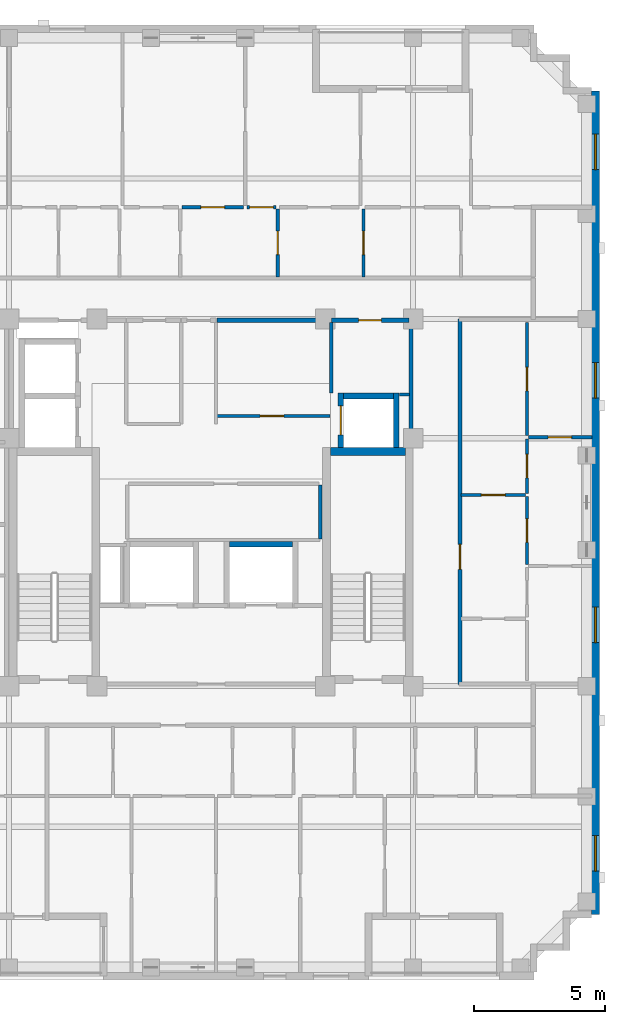
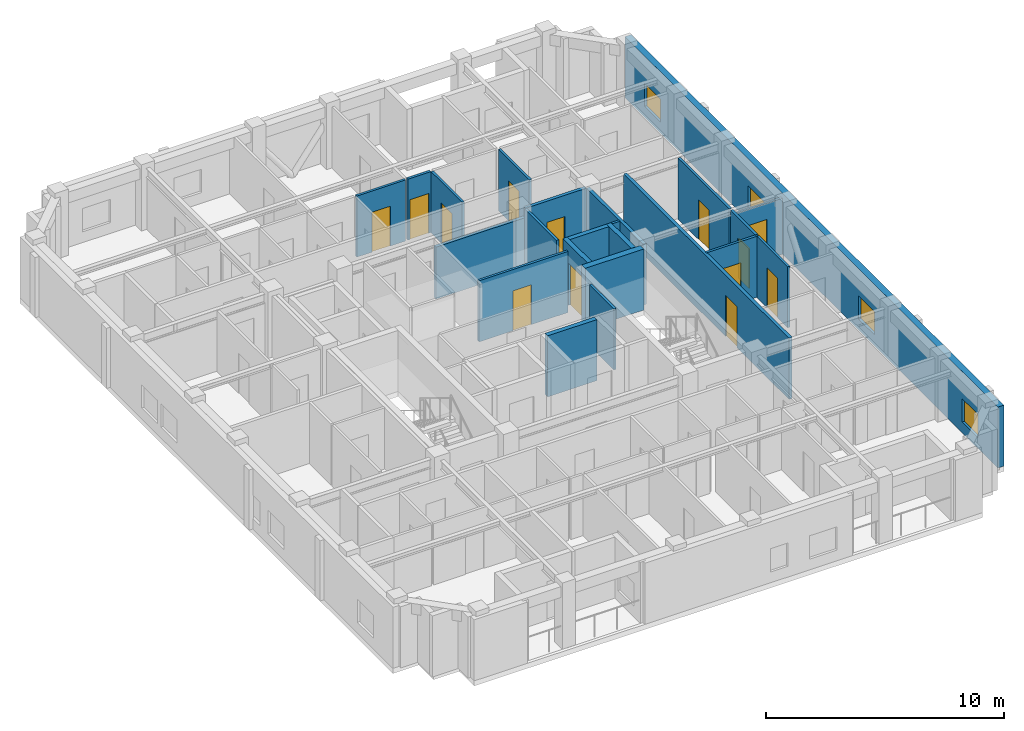
# One storey, part 6 of 11: 23 walls, 13 doors, 4 windows, 17 openings.
"""IFC4 building model written with IfcOpenShell, lengths in metres."""

from ifc_helpers import new_model, si_unit, derived_unit, direction, frame, frame_2d, origin, place, context, subcontext, project, spatial, rectangle, extrude, material, layer, layer_set, type_object, element, fill, save


model = new_model("IFC4")

# Units and contexts
model_context = context("Model", 3, precision=1e-05, world=origin(), true_north=direction((0.0, 1.0)))
body_context = subcontext(model_context, "Body", "Model", "MODEL_VIEW")
ifc_project = project(units=[si_unit("LENGTHUNIT", "METRE"), si_unit("AREAUNIT", "SQUARE_METRE"), si_unit("VOLUMEUNIT", "CUBIC_METRE"), si_unit("PLANEANGLEUNIT", "RADIAN"), si_unit("MASSUNIT", "GRAM", prefix="KILO"), derived_unit("THERMALTRANSMITTANCEUNIT", [(si_unit("MASSUNIT", "GRAM", prefix="KILO"), 1), (si_unit("TIMEUNIT", "SECOND"), -3), (si_unit("THERMODYNAMICTEMPERATUREUNIT", "KELVIN"), -1)])], contexts=[model_context])

# Site, building, storey
site_placement = place(None, origin())
site = spatial("IfcSite", under=ifc_project, at=site_placement, CompositionType="ELEMENT")
building_placement = place(site_placement, origin())
building = spatial("IfcBuilding", under=site, at=building_placement, Name="Korrvale Station Residences", CompositionType="ELEMENT")
storey_placement = place(building_placement, frame((0.0, 0.0, 244.5)))
storey = spatial("IfcBuildingStorey", under=building, at=storey_placement, Name="L71", CompositionType="ELEMENT", Elevation=244.5)

# Wall
ifc_material_1 = material(Name="Concrete C50/60", Category="concrete")
ifc_layer_1 = layer(ifc_material_1, 0.300048828125, Name="Concrete C50/60")
ifc_layer_set_1 = layer_set([ifc_layer_1], Name="Concrete C50/60")
wall_type_1 = type_object("IfcWallType", Name="WAL-CORE-300-C50", PredefinedType="SHEAR", material=ifc_layer_set_1)
wall_1_placement = place(storey_placement, frame((30.050048828125, 23.949951171875, 0.0), z_axis=(0.0, 0.0, 1.0), x_axis=(1.0, 0.0, 0.0)))
element("IfcWall", 1, at=wall_1_placement, inside=storey, type_object=wall_type_1, Name="L71 ST-2 Core Shear Wall North", PredefinedType="SHEAR", context=body_context, shape_type="SweptSolid", body=[
    extrude(rectangle(XDim=2.849853515625, YDim=0.300048828125, at=frame_2d((1.4248046875, 0.0))), origin(), (0.0, 0.0, 1.0), 3.139892578125),
])

# Wall, openings, windows
ifc_material_2 = material(Name="Precast concrete C45/55", Category="concrete")
ifc_layer_2 = layer(ifc_material_2, 0.300048828125, Name="Precast concrete C45/55")
ifc_layer_set_2 = layer_set([ifc_layer_2], Name="Precast concrete C45/55")
wall_type_2 = type_object("IfcWallType", Name="WAL-EXT-PC300", PredefinedType="SOLIDWALL", material=ifc_layer_set_2)
wall_2_placement = place(storey_placement, frame((40.14990234375, 37.699951171875, 0.0), z_axis=(0.0, 0.0, 1.0), x_axis=(0.0, -1.0, 0.0)))
wall_2 = element("IfcWall", 2, at=wall_2_placement, inside=storey, type_object=wall_type_2, Name="L71 East Exterior Precast Wall 1", PredefinedType="SOLIDWALL", context=body_context, shape_type="SweptSolid", body=[
    extrude(rectangle(XDim=31.39990234375, YDim=0.300048828125, at=frame_2d((15.699951171875, 0.0))), origin(), (0.0, 0.0, 1.0), 3.139892578125),
])
opening_1_placement = place(wall_2_placement, frame((28.39599609375, 0.0, 0.550048828125)))
opening_1 = element("IfcOpeningElement", 3, at=opening_1_placement, cuts=wall_2, Name="Opening W-10", PredefinedType="OPENING", context=body_context, shape_type="SweptSolid", body=[
    extrude(rectangle(XDim=1.35009765625, YDim=1.199951171875, at=frame_2d((0.675048828125, 0.60009765625))), frame((0.0, 0.16015625, 0.0), z_axis=(0.0, -1.0, 0.0), x_axis=(1.0, 0.0, 0.0)), (0.0, 0.0, 1.0), 0.320068359375),
])
opening_2_placement = place(wall_2_placement, frame((1.653076171875, 0.0, 0.550048828125)))
opening_2 = element("IfcOpeningElement", 4, at=opening_2_placement, cuts=wall_2, Name="Opening W-10", PredefinedType="OPENING", context=body_context, shape_type="SweptSolid", body=[
    extrude(rectangle(XDim=1.35009765625, YDim=1.199951171875, at=frame_2d((0.675048828125, 0.60009765625))), frame((0.0, 0.16015625, 0.0), z_axis=(0.0, -1.0, 0.0), x_axis=(1.0, 0.0, 0.0)), (0.0, 0.0, 1.0), 0.320068359375),
])
opening_3_placement = place(wall_2_placement, frame((19.68310546875, 0.0, 0.550048828125)))
opening_3 = element("IfcOpeningElement", 5, at=opening_3_placement, cuts=wall_2, Name="Opening W-10", PredefinedType="OPENING", context=body_context, shape_type="SweptSolid", body=[
    extrude(rectangle(XDim=1.35009765625, YDim=1.199951171875, at=frame_2d((0.675048828125, 0.60009765625))), frame((0.0, 0.16015625, 0.0), z_axis=(0.0, -1.0, 0.0), x_axis=(1.0, 0.0, 0.0)), (0.0, 0.0, 1.0), 0.320068359375),
])
opening_4_placement = place(wall_2_placement, frame((10.366943359375, 0.0, 0.550048828125)))
opening_4 = element("IfcOpeningElement", 6, at=opening_4_placement, cuts=wall_2, Name="Opening W-10", PredefinedType="OPENING", context=body_context, shape_type="SweptSolid", body=[
    extrude(rectangle(XDim=1.35009765625, YDim=1.199951171875, at=frame_2d((0.675048828125, 0.60009765625))), frame((0.0, 0.16015625, 0.0), z_axis=(0.0, -1.0, 0.0), x_axis=(1.0, 0.0, 0.0)), (0.0, 0.0, 1.0), 0.320068359375),
])
ifc_material_3 = material(Name="Thermally broken aluminium frame with triple low-e glazing", Category="aluminium")
window_type = type_object("IfcWindowType", Name="WIN-W10", PartitioningType="SINGLE_PANEL", PredefinedType="WINDOW", material=ifc_material_3)
window_1_placement = place(opening_1_placement, origin())
window_1 = element("IfcWindow", 7, at=window_1_placement, inside=storey, type_object=window_type, Name="L71 Punched Window 05", OverallHeight=1.199951171875, OverallWidth=1.35009765625, PartitioningType="SINGLE_PANEL", PredefinedType="WINDOW", context=body_context, shape_type="SweptSolid", body=[
    extrude(rectangle(XDim=1.35009765625, YDim=1.199951171875, at=frame_2d((0.675048828125, 0.60009765625))), frame((0.0, 0.030029296875, 0.0), z_axis=(0.0, -1.0, 0.0), x_axis=(1.0, 0.0, 0.0)), (0.0, 0.0, 1.0), 0.06005859375),
])
fill(opening_1, window_1)
window_2_placement = place(opening_2_placement, origin())
window_2 = element("IfcWindow", 8, at=window_2_placement, inside=storey, type_object=window_type, Name="L71 Punched Window 10", OverallHeight=1.199951171875, OverallWidth=1.35009765625, PartitioningType="SINGLE_PANEL", PredefinedType="WINDOW", context=body_context, shape_type="SweptSolid", body=[
    extrude(rectangle(XDim=1.35009765625, YDim=1.199951171875, at=frame_2d((0.675048828125, 0.60009765625))), frame((0.0, 0.030029296875, 0.0), z_axis=(0.0, -1.0, 0.0), x_axis=(1.0, 0.0, 0.0)), (0.0, 0.0, 1.0), 0.06005859375),
])
fill(opening_2, window_2)
window_3_placement = place(opening_3_placement, origin())
window_3 = element("IfcWindow", 9, at=window_3_placement, inside=storey, type_object=window_type, Name="L71 Punched Window 15", OverallHeight=1.199951171875, OverallWidth=1.35009765625, PartitioningType="SINGLE_PANEL", PredefinedType="WINDOW", context=body_context, shape_type="SweptSolid", body=[
    extrude(rectangle(XDim=1.35009765625, YDim=1.199951171875, at=frame_2d((0.675048828125, 0.60009765625))), frame((0.0, 0.030029296875, 0.0), z_axis=(0.0, -1.0, 0.0), x_axis=(1.0, 0.0, 0.0)), (0.0, 0.0, 1.0), 0.06005859375),
])
fill(opening_3, window_3)
window_4_placement = place(opening_4_placement, origin())
window_4 = element("IfcWindow", 10, at=window_4_placement, inside=storey, type_object=window_type, Name="L71 Punched Window 16", OverallHeight=1.199951171875, OverallWidth=1.35009765625, PartitioningType="SINGLE_PANEL", PredefinedType="WINDOW", context=body_context, shape_type="SweptSolid", body=[
    extrude(rectangle(XDim=1.35009765625, YDim=1.199951171875, at=frame_2d((0.675048828125, 0.60009765625))), frame((0.0, 0.030029296875, 0.0), z_axis=(0.0, -1.0, 0.0), x_axis=(1.0, 0.0, 0.0)), (0.0, 0.0, 1.0), 0.06005859375),
])
fill(opening_4, window_4)

# Walls
ifc_material_4 = material(Name="Acoustic steel-stud gypsum board partition", Category="steel")
ifc_layer_3 = layer(ifc_material_4, 0.1201171875, Name="Acoustic steel-stud gypsum board partition")
ifc_layer_set_3 = layer_set([ifc_layer_3], Name="Acoustic steel-stud gypsum board partition")
wall_type_3 = type_object("IfcWallType", Name="WAL-PART-125", PredefinedType="PARTITIONING", material=ifc_layer_set_3)
wall_3_placement = place(storey_placement, frame((30.080078125, 26.179931640625, 0.0), z_axis=(0.0, 0.0, 1.0), x_axis=(0.0, 1.0, 0.0)))
element("IfcWall", 11, at=wall_3_placement, inside=storey, type_object=wall_type_3, Name="L71 Core Partition CW-CS-W", PredefinedType="PARTITIONING", context=body_context, shape_type="SweptSolid", body=[
    extrude(rectangle(XDim=2.68017578125, YDim=0.1201171875, at=frame_2d((1.340087890625, 0.0))), origin(), (0.0, 0.0, 1.0), 3.139892578125),
])
wall_4_placement = place(storey_placement, frame((32.679931640625, 26.1201171875, 0.0), z_axis=(0.0, 0.0, 1.0), x_axis=(1.0, 0.0, 0.0)))
element("IfcWall", 12, at=wall_4_placement, inside=storey, type_object=wall_type_3, Name="L71 Core Partition CW-CS-S", PredefinedType="PARTITIONING", context=body_context, shape_type="SweptSolid", body=[
    extrude(rectangle(XDim=0.380126953125, YDim=0.1201171875, at=frame_2d((0.18994140625, 0.0))), origin(), (0.0, 0.0, 1.0), 3.139892578125),
])

# Wall, opening, door
wall_5_placement = place(storey_placement, frame((25.719970703125, 25.300048828125, 0.0), z_axis=(0.0, 0.0, 1.0), x_axis=(1.0, 0.0, 0.0)))
wall_5 = element("IfcWall", 13, at=wall_5_placement, inside=storey, type_object=wall_type_3, Name="L71 Core Partition CW-FPLE-S", PredefinedType="PARTITIONING", context=body_context, shape_type="SweptSolid", body=[
    extrude(rectangle(XDim=4.320068359375, YDim=0.1201171875, at=frame_2d((2.16015625, 0.0))), origin(), (0.0, 0.0, 1.0), 3.139892578125),
])
opening_5_placement = place(wall_5_placement, frame((1.64990234375, 0.0, 0.0)))
opening_5 = element("IfcOpeningElement", 14, at=opening_5_placement, cuts=wall_5, Name="Opening DI-900", PredefinedType="OPENING", context=body_context, shape_type="SweptSolid", body=[
    extrude(rectangle(XDim=0.89990234375, YDim=2.050048828125, at=frame_2d((0.449951171875, 1.02490234375))), frame((0.0, 0.070068359375, 0.0), z_axis=(0.0, -1.0, 0.0), x_axis=(1.0, 0.0, 0.0)), (0.0, 0.0, 1.0), 0.14013671875),
])
ifc_material_5 = material(Name="Painted solid-core timber interior room door", Category="wood")
door_type_1 = type_object("IfcDoorType", Name="DR-INT-900", OperationType="NOTDEFINED", PredefinedType="DOOR", material=ifc_material_5)
door_1_placement = place(opening_5_placement, origin())
door_1 = element("IfcDoor", 15, at=door_1_placement, inside=storey, type_object=door_type_1, Name="L71 Housekeeping Linen Door", OperationType="SINGLE_SWING_LEFT", OverallHeight=2.050048828125, OverallWidth=0.89990234375, PredefinedType="DOOR", context=body_context, shape_type="SweptSolid", body=[
    extrude(rectangle(XDim=0.89990234375, YDim=2.050048828125, at=frame_2d((0.449951171875, 1.02490234375))), frame((0.0, 0.02490234375, 0.0), z_axis=(0.0, -1.0, 0.0), x_axis=(1.0, 0.0, 0.0)), (0.0, 0.0, 1.0), 0.050048828125),
])
fill(opening_5, door_1)

# Wall
wall_6_placement = place(storey_placement, frame((29.659912109375, 20.6201171875, 0.0), z_axis=(0.0, 0.0, 1.0), x_axis=(0.0, 1.0, 0.0)))
element("IfcWall", 16, at=wall_6_placement, inside=storey, type_object=wall_type_3, Name="L71 Core Partition CW-FPM-E", PredefinedType="PARTITIONING", context=body_context, shape_type="SweptSolid", body=[
    extrude(rectangle(XDim=2.059814453125, YDim=0.1201171875, at=frame_2d((1.02978515625, 0.0))), origin(), (0.0, 0.0, 1.0), 3.139892578125),
])

# Wall, opening, door
wall_7_placement = place(storey_placement, frame((28.0400390625, 30.60009765625, 0.0), z_axis=(0.0, 0.0, 1.0), x_axis=(0.0, 1.0, 0.0)))
wall_7 = element("IfcWall", 17, at=wall_7_placement, inside=storey, type_object=wall_type_3, Name="L71 Suite Partition U03-V45", PredefinedType="PARTITIONING", context=body_context, shape_type="SweptSolid", body=[
    extrude(rectangle(XDim=2.599853515625, YDim=0.1201171875, at=frame_2d((1.2998046875, 0.0))), origin(), (0.0, 0.0, 1.0), 3.139892578125),
])
opening_6_placement = place(wall_7_placement, frame((0.85009765625, 0.0, 0.0)))
opening_6 = element("IfcOpeningElement", 18, at=opening_6_placement, cuts=wall_7, Name="Opening DI-900", PredefinedType="OPENING", context=body_context, shape_type="SweptSolid", body=[
    extrude(rectangle(XDim=0.89990234375, YDim=2.050048828125, at=frame_2d((0.449951171875, 1.02490234375))), frame((0.0, 0.070068359375, 0.0), z_axis=(0.0, -1.0, 0.0), x_axis=(1.0, 0.0, 0.0)), (0.0, 0.0, 1.0), 0.14013671875),
])
door_2_placement = place(opening_6_placement, origin())
door_2 = element("IfcDoor", 19, at=door_2_placement, inside=storey, type_object=door_type_1, Name="L71 Apartment 3BR L71-U03 Utility and Laundry Room Door", OperationType="SINGLE_SWING_RIGHT", OverallHeight=2.050048828125, OverallWidth=0.89990234375, PredefinedType="DOOR", context=body_context, shape_type="SweptSolid", body=[
    extrude(rectangle(XDim=0.89990234375, YDim=2.050048828125, at=frame_2d((0.449951171875, 1.02490234375))), frame((0.0, 0.02490234375, 0.0), z_axis=(0.0, -1.0, 0.0), x_axis=(1.0, 0.0, 0.0)), (0.0, 0.0, 1.0), 0.050048828125),
])
fill(opening_6, door_2)

wall_8_placement = place(storey_placement, frame((24.3798828125, 33.260009765625, 0.0), z_axis=(0.0, 0.0, 1.0), x_axis=(1.0, 0.0, 0.0)))
wall_8 = element("IfcWall", 20, at=wall_8_placement, inside=storey, type_object=wall_type_3, Name="L71 Suite Partition U03-H410", PredefinedType="PARTITIONING", context=body_context, shape_type="SweptSolid", body=[
    extrude(rectangle(XDim=2.360107421875, YDim=0.1201171875, at=frame_2d((1.18017578125, 0.0))), origin(), (0.0, 0.0, 1.0), 3.139892578125),
])
opening_7_placement = place(wall_8_placement, frame((0.72998046875, 0.0, 0.0)))
opening_7 = element("IfcOpeningElement", 21, at=opening_7_placement, cuts=wall_8, Name="Opening DI-900", PredefinedType="OPENING", context=body_context, shape_type="SweptSolid", body=[
    extrude(rectangle(XDim=0.89990234375, YDim=2.050048828125, at=frame_2d((0.449951171875, 1.02490234375))), frame((0.0, 0.070068359375, 0.0), z_axis=(0.0, -1.0, 0.0), x_axis=(1.0, 0.0, 0.0)), (0.0, 0.0, 1.0), 0.14013671875),
])
door_3_placement = place(opening_7_placement, origin())
door_3 = element("IfcDoor", 22, at=door_3_placement, inside=storey, type_object=door_type_1, Name="L71 Apartment 3BR L71-U03 Utility and Laundry Room Door", OperationType="SINGLE_SWING_LEFT", OverallHeight=2.050048828125, OverallWidth=0.89990234375, PredefinedType="DOOR", context=body_context, shape_type="SweptSolid", body=[
    extrude(rectangle(XDim=0.89990234375, YDim=2.050048828125, at=frame_2d((0.449951171875, 1.02490234375))), frame((0.0, 0.02490234375, 0.0), z_axis=(0.0, -1.0, 0.0), x_axis=(1.0, 0.0, 0.0)), (0.0, 0.0, 1.0), 0.050048828125),
])
fill(opening_7, door_3)

wall_9_placement = place(storey_placement, frame((26.860107421875, 33.260009765625, 0.0), z_axis=(0.0, 0.0, 1.0), x_axis=(1.0, 0.0, 0.0)))
wall_9 = element("IfcWall", 23, at=wall_9_placement, inside=storey, type_object=wall_type_3, Name="L71 Suite Partition U03-H411", PredefinedType="PARTITIONING", context=body_context, shape_type="SweptSolid", body=[
    extrude(rectangle(XDim=1.119873046875, YDim=0.1201171875, at=frame_2d((0.56005859375, 0.0))), origin(), (0.0, 0.0, 1.0), 3.139892578125),
])
opening_8_placement = place(wall_9_placement, frame((0.110107421875, 0.0, 0.0)))
opening_8 = element("IfcOpeningElement", 24, at=opening_8_placement, cuts=wall_9, Name="Opening DI-900", PredefinedType="OPENING", context=body_context, shape_type="SweptSolid", body=[
    extrude(rectangle(XDim=0.89990234375, YDim=2.050048828125, at=frame_2d((0.449951171875, 1.02490234375))), frame((0.0, 0.070068359375, 0.0), z_axis=(0.0, -1.0, 0.0), x_axis=(1.0, 0.0, 0.0)), (0.0, 0.0, 1.0), 0.14013671875),
])
door_4_placement = place(opening_8_placement, origin())
door_4 = element("IfcDoor", 25, at=door_4_placement, inside=storey, type_object=door_type_1, Name="L71 Apartment 3BR L71-U03 Utility and Laundry Room Door", OperationType="SINGLE_SWING_RIGHT", OverallHeight=2.050048828125, OverallWidth=0.89990234375, PredefinedType="DOOR", context=body_context, shape_type="SweptSolid", body=[
    extrude(rectangle(XDim=0.89990234375, YDim=2.050048828125, at=frame_2d((0.449951171875, 1.02490234375))), frame((0.0, 0.02490234375, 0.0), z_axis=(0.0, -1.0, 0.0), x_axis=(1.0, 0.0, 0.0)), (0.0, 0.0, 1.0), 0.050048828125),
])
fill(opening_8, door_4)

wall_10_placement = place(storey_placement, frame((31.31005859375, 30.60009765625, 0.0), z_axis=(0.0, 0.0, 1.0), x_axis=(0.0, 1.0, 0.0)))
wall_10 = element("IfcWall", 26, at=wall_10_placement, inside=storey, type_object=wall_type_3, Name="L71 Suite Partition U03-V56", PredefinedType="PARTITIONING", context=body_context, shape_type="SweptSolid", body=[
    extrude(rectangle(XDim=2.599853515625, YDim=0.1201171875, at=frame_2d((1.2998046875, 0.0))), origin(), (0.0, 0.0, 1.0), 3.139892578125),
])
opening_9_placement = place(wall_10_placement, frame((0.85009765625, 0.0, 0.0)))
opening_9 = element("IfcOpeningElement", 27, at=opening_9_placement, cuts=wall_10, Name="Opening DI-900", PredefinedType="OPENING", context=body_context, shape_type="SweptSolid", body=[
    extrude(rectangle(XDim=0.89990234375, YDim=2.050048828125, at=frame_2d((0.449951171875, 1.02490234375))), frame((0.0, 0.070068359375, 0.0), z_axis=(0.0, -1.0, 0.0), x_axis=(1.0, 0.0, 0.0)), (0.0, 0.0, 1.0), 0.14013671875),
])
door_5_placement = place(opening_9_placement, origin())
door_5 = element("IfcDoor", 28, at=door_5_placement, inside=storey, type_object=door_type_1, Name="L71 Apartment 3BR L71-U03 Storage Closet 2 Door", OperationType="SINGLE_SWING_LEFT", OverallHeight=2.050048828125, OverallWidth=0.89990234375, PredefinedType="DOOR", context=body_context, shape_type="SweptSolid", body=[
    extrude(rectangle(XDim=0.89990234375, YDim=2.050048828125, at=frame_2d((0.449951171875, 1.02490234375))), frame((0.0, 0.02490234375, 0.0), z_axis=(0.0, -1.0, 0.0), x_axis=(1.0, 0.0, 0.0)), (0.0, 0.0, 1.0), 0.050048828125),
])
fill(opening_9, door_5)

wall_11_placement = place(storey_placement, frame((35.030029296875, 22.2900390625, 0.0), z_axis=(0.0, 0.0, 1.0), x_axis=(1.0, 0.0, 0.0)))
wall_11 = element("IfcWall", 29, at=wall_11_placement, inside=storey, type_object=wall_type_3, Name="L71 Suite Partition U06-H02", PredefinedType="PARTITIONING", context=body_context, shape_type="SweptSolid", body=[
    extrude(rectangle(XDim=2.449951171875, YDim=0.1201171875, at=frame_2d((1.22509765625, 0.0))), origin(), (0.0, 0.0, 1.0), 3.139892578125),
])
opening_10_placement = place(wall_11_placement, frame((0.77490234375, 0.0, 0.0)))
opening_10 = element("IfcOpeningElement", 30, at=opening_10_placement, cuts=wall_11, Name="Opening DI-900", PredefinedType="OPENING", context=body_context, shape_type="SweptSolid", body=[
    extrude(rectangle(XDim=0.89990234375, YDim=2.050048828125, at=frame_2d((0.449951171875, 1.02490234375))), frame((0.0, 0.070068359375, 0.0), z_axis=(0.0, -1.0, 0.0), x_axis=(1.0, 0.0, 0.0)), (0.0, 0.0, 1.0), 0.14013671875),
])
door_6_placement = place(opening_10_placement, origin())
door_6 = element("IfcDoor", 31, at=door_6_placement, inside=storey, type_object=door_type_1, Name="L71 Apartment 2BR L71-U06 Wardrobe Storage Room Door", OperationType="SINGLE_SWING_LEFT", OverallHeight=2.050048828125, OverallWidth=0.89990234375, PredefinedType="DOOR", context=body_context, shape_type="SweptSolid", body=[
    extrude(rectangle(XDim=0.89990234375, YDim=2.050048828125, at=frame_2d((0.449951171875, 1.02490234375))), frame((0.0, 0.02490234375, 0.0), z_axis=(0.0, -1.0, 0.0), x_axis=(1.0, 0.0, 0.0)), (0.0, 0.0, 1.0), 0.050048828125),
])
fill(opening_10, door_6)

wall_12_placement = place(storey_placement, frame((37.5400390625, 22.35009765625, 0.0), z_axis=(0.0, 0.0, 1.0), x_axis=(0.0, 1.0, 0.0)))
wall_12 = element("IfcWall", 32, at=wall_12_placement, inside=storey, type_object=wall_type_3, Name="L71 Suite Partition U06-V04", PredefinedType="PARTITIONING", context=body_context, shape_type="SweptSolid", body=[
    extrude(rectangle(XDim=2.081787109375, YDim=0.1201171875, at=frame_2d((1.041015625, 0.0))), origin(), (0.0, 0.0, 1.0), 3.139892578125),
])
opening_11_placement = place(wall_12_placement, frame((0.591064453125, 0.0, 0.0)))
opening_11 = element("IfcOpeningElement", 33, at=opening_11_placement, cuts=wall_12, Name="Opening DI-900", PredefinedType="OPENING", context=body_context, shape_type="SweptSolid", body=[
    extrude(rectangle(XDim=0.89990234375, YDim=2.050048828125, at=frame_2d((0.449951171875, 1.02490234375))), frame((0.0, 0.070068359375, 0.0), z_axis=(0.0, -1.0, 0.0), x_axis=(1.0, 0.0, 0.0)), (0.0, 0.0, 1.0), 0.14013671875),
])
door_7_placement = place(opening_11_placement, origin())
door_7 = element("IfcDoor", 34, at=door_7_placement, inside=storey, type_object=door_type_1, Name="L71 Apartment 2BR L71-U06 Wardrobe Storage Room Door", OperationType="SINGLE_SWING_RIGHT", OverallHeight=2.050048828125, OverallWidth=0.89990234375, PredefinedType="DOOR", context=body_context, shape_type="SweptSolid", body=[
    extrude(rectangle(XDim=0.89990234375, YDim=2.050048828125, at=frame_2d((0.449951171875, 1.02490234375))), frame((0.0, 0.02490234375, 0.0), z_axis=(0.0, -1.0, 0.0), x_axis=(1.0, 0.0, 0.0)), (0.0, 0.0, 1.0), 0.050048828125),
])
fill(opening_11, door_7)

wall_13_placement = place(storey_placement, frame((37.5400390625, 24.552001953125, 0.0), z_axis=(0.0, 0.0, 1.0), x_axis=(0.0, 1.0, 0.0)))
wall_13 = element("IfcWall", 35, at=wall_13_placement, inside=storey, type_object=wall_type_3, Name="L71 Suite Partition U06-V05", PredefinedType="PARTITIONING", context=body_context, shape_type="SweptSolid", body=[
    extrude(rectangle(XDim=4.30810546875, YDim=0.1201171875, at=frame_2d((2.154052734375, 0.0))), origin(), (0.0, 0.0, 1.0), 3.139892578125),
])
opening_12_placement = place(wall_13_placement, frame((1.7041015625, 0.0, 0.0)))
opening_12 = element("IfcOpeningElement", 36, at=opening_12_placement, cuts=wall_13, Name="Opening DI-900", PredefinedType="OPENING", context=body_context, shape_type="SweptSolid", body=[
    extrude(rectangle(XDim=0.89990234375, YDim=2.050048828125, at=frame_2d((0.449951171875, 1.02490234375))), frame((0.0, 0.070068359375, 0.0), z_axis=(0.0, -1.0, 0.0), x_axis=(1.0, 0.0, 0.0)), (0.0, 0.0, 1.0), 0.14013671875),
])
door_8_placement = place(opening_12_placement, origin())
door_8 = element("IfcDoor", 37, at=door_8_placement, inside=storey, type_object=door_type_1, Name="L71 Apartment 2BR L71-U06 Wardrobe Storage Room Door", OperationType="SINGLE_SWING_LEFT", OverallHeight=2.050048828125, OverallWidth=0.89990234375, PredefinedType="DOOR", context=body_context, shape_type="SweptSolid", body=[
    extrude(rectangle(XDim=0.89990234375, YDim=2.050048828125, at=frame_2d((0.449951171875, 1.02490234375))), frame((0.0, 0.02490234375, 0.0), z_axis=(0.0, -1.0, 0.0), x_axis=(1.0, 0.0, 0.0)), (0.0, 0.0, 1.0), 0.050048828125),
])
fill(opening_12, door_8)

wall_14_placement = place(storey_placement, frame((37.5400390625, 19.637939453125, 0.0), z_axis=(0.0, 0.0, 1.0), x_axis=(0.0, 1.0, 0.0)))
wall_14 = element("IfcWall", 38, at=wall_14_placement, inside=storey, type_object=wall_type_3, Name="L71 Suite Partition U06-V24", PredefinedType="PARTITIONING", context=body_context, shape_type="SweptSolid", body=[
    extrude(rectangle(XDim=2.592041015625, YDim=0.1201171875, at=frame_2d((1.2958984375, 0.0))), origin(), (0.0, 0.0, 1.0), 3.139892578125),
])
opening_13_placement = place(wall_14_placement, frame((0.845947265625, 0.0, 0.0)))
opening_13 = element("IfcOpeningElement", 39, at=opening_13_placement, cuts=wall_14, Name="Opening DI-900", PredefinedType="OPENING", context=body_context, shape_type="SweptSolid", body=[
    extrude(rectangle(XDim=0.89990234375, YDim=2.050048828125, at=frame_2d((0.449951171875, 1.02490234375))), frame((0.0, 0.070068359375, 0.0), z_axis=(0.0, -1.0, 0.0), x_axis=(1.0, 0.0, 0.0)), (0.0, 0.0, 1.0), 0.14013671875),
])
door_9_placement = place(opening_13_placement, origin())
door_9 = element("IfcDoor", 40, at=door_9_placement, inside=storey, type_object=door_type_1, Name="L71 Apartment 2BR L71-U06 Kitchen Door", OperationType="SINGLE_SWING_RIGHT", OverallHeight=2.050048828125, OverallWidth=0.89990234375, PredefinedType="DOOR", context=body_context, shape_type="SweptSolid", body=[
    extrude(rectangle(XDim=0.89990234375, YDim=2.050048828125, at=frame_2d((0.449951171875, 1.02490234375))), frame((0.0, 0.02490234375, 0.0), z_axis=(0.0, -1.0, 0.0), x_axis=(1.0, 0.0, 0.0)), (0.0, 0.0, 1.0), 0.050048828125),
])
fill(opening_13, door_9)

wall_15_placement = place(storey_placement, frame((37.60009765625, 24.491943359375, 0.0), z_axis=(0.0, 0.0, 1.0), x_axis=(1.0, 0.0, 0.0)))
wall_15 = element("IfcWall", 41, at=wall_15_placement, inside=storey, type_object=wall_type_3, Name="L71 Suite Partition U06-H45", PredefinedType="PARTITIONING", context=body_context, shape_type="SweptSolid", body=[
    extrude(rectangle(XDim=2.419921875, YDim=0.1201171875, at=frame_2d((1.2099609375, 0.0))), origin(), (0.0, 0.0, 1.0), 2.8779296875),
])
opening_14_placement = place(wall_15_placement, frame((0.7451171875, 0.0, 0.0)))
opening_14 = element("IfcOpeningElement", 42, at=opening_14_placement, cuts=wall_15, Name="Opening DI-900", PredefinedType="OPENING", context=body_context, shape_type="SweptSolid", body=[
    extrude(rectangle(XDim=0.89990234375, YDim=2.050048828125, at=frame_2d((0.449951171875, 1.02490234375))), frame((0.0, 0.070068359375, 0.0), z_axis=(0.0, -1.0, 0.0), x_axis=(1.0, 0.0, 0.0)), (0.0, 0.0, 1.0), 0.14013671875),
])
door_10_placement = place(opening_14_placement, origin())
door_10 = element("IfcDoor", 43, at=door_10_placement, inside=storey, type_object=door_type_1, Name="L71 Apartment 2BR L71-U06 Living and Dining Room Door", OperationType="SINGLE_SWING_RIGHT", OverallHeight=2.050048828125, OverallWidth=0.89990234375, PredefinedType="DOOR", context=body_context, shape_type="SweptSolid", body=[
    extrude(rectangle(XDim=0.89990234375, YDim=2.050048828125, at=frame_2d((0.449951171875, 1.02490234375))), frame((0.0, 0.02490234375, 0.0), z_axis=(0.0, -1.0, 0.0), x_axis=(1.0, 0.0, 0.0)), (0.0, 0.0, 1.0), 0.050048828125),
])
fill(opening_14, door_10)

# Wall
ifc_material_6 = material(Name="Fire-rated twin-stud gypsum and mineral wool shaftwall assembly", Category="gypsum")
ifc_layer_4 = layer(ifc_material_6, 0.159912109375, Name="Fire-rated twin-stud gypsum and mineral wool shaftwall assembly")
ifc_layer_set_4 = layer_set([ifc_layer_4], Name="Fire-rated twin-stud gypsum and mineral wool shaftwall assembly")
wall_type_4 = type_object("IfcWallType", Name="WAL-PART-200", PredefinedType="PARTITIONING", material=ifc_layer_set_4)
wall_16_placement = place(storey_placement, frame((33.1201171875, 24.1201171875, 0.0), z_axis=(0.0, 0.0, 1.0), x_axis=(0.0, 1.0, 0.0)))
element("IfcWall", 44, at=wall_16_placement, inside=storey, type_object=wall_type_4, Name="L71 Core Partition CW-E-N", PredefinedType="PARTITIONING", context=body_context, shape_type="SweptSolid", body=[
    extrude(rectangle(XDim=4.759765625, YDim=0.159912109375, at=frame_2d((2.3798828125, 0.0))), origin(), (0.0, 0.0, 1.0), 3.139892578125),
])

# Wall, opening, door
wall_17_placement = place(storey_placement, frame((30.080078125, 28.949951171875, 0.0), z_axis=(0.0, 0.0, 1.0), x_axis=(1.0, 0.0, 0.0)))
wall_17 = element("IfcWall", 45, at=wall_17_placement, inside=storey, type_object=wall_type_4, Name="L71 Core Partition CW-CS-N", PredefinedType="PARTITIONING", context=body_context, shape_type="SweptSolid", body=[
    extrude(rectangle(XDim=2.9599609375, YDim=0.159912109375, at=frame_2d((1.47998046875, 0.0))), origin(), (0.0, 0.0, 1.0), 3.139892578125),
])
opening_15_placement = place(wall_17_placement, frame((1.044921875, 0.0, 0.0)))
opening_15 = element("IfcOpeningElement", 46, at=opening_15_placement, cuts=wall_17, Name="Opening DB-860", PredefinedType="OPENING", context=body_context, shape_type="SweptSolid", body=[
    extrude(rectangle(XDim=0.860107421875, YDim=2.050048828125, at=frame_2d((0.43017578125, 1.02490234375))), frame((0.0, 0.08984375, 0.0), z_axis=(0.0, -1.0, 0.0), x_axis=(1.0, 0.0, 0.0)), (0.0, 0.0, 1.0), 0.179931640625),
])
ifc_material_7 = material(Name="Moisture-resistant solid-core bathroom door", Category="timber")
door_type_2 = type_object("IfcDoorType", Name="DR-BATH-860", OperationType="NOTDEFINED", PredefinedType="DOOR", material=ifc_material_7)
door_11_placement = place(opening_15_placement, origin())
door_11 = element("IfcDoor", 47, at=door_11_placement, inside=storey, type_object=door_type_2, Name="L71 Parcel Room Door", OperationType="SINGLE_SWING_LEFT", OverallHeight=2.050048828125, OverallWidth=0.860107421875, PredefinedType="DOOR", context=body_context, shape_type="SweptSolid", body=[
    extrude(rectangle(XDim=0.860107421875, YDim=2.050048828125, at=frame_2d((0.43017578125, 1.02490234375))), frame((0.0, 0.02490234375, 0.0), z_axis=(0.0, -1.0, 0.0), x_axis=(1.0, 0.0, 0.0)), (0.0, 0.0, 1.0), 0.050048828125),
])
fill(opening_15, door_11)

# Wall
wall_18_placement = place(storey_placement, frame((25.719970703125, 28.949951171875, 0.0), z_axis=(0.0, 0.0, 1.0), x_axis=(1.0, 0.0, 0.0)))
element("IfcWall", 48, at=wall_18_placement, inside=storey, type_object=wall_type_4, Name="L71 Core Partition CW-FPLE-N", PredefinedType="PARTITIONING", context=body_context, shape_type="SweptSolid", body=[
    extrude(rectangle(XDim=4.320068359375, YDim=0.159912109375, at=frame_2d((2.16015625, 0.0))), origin(), (0.0, 0.0, 1.0), 2.66796875),
])

# Wall, opening, door
wall_19_placement = place(storey_placement, frame((34.989990234375, 15.070068359375, 0.0), z_axis=(0.0, 0.0, 1.0), x_axis=(0.0, 1.0, 0.0)))
wall_19 = element("IfcWall", 49, at=wall_19_placement, inside=storey, type_object=wall_type_4, Name="L71 Rated Corridor Wall E", PredefinedType="PARTITIONING", context=body_context, shape_type="SweptSolid", body=[
    extrude(rectangle(XDim=13.929931640625, YDim=0.159912109375, at=frame_2d((6.96484375, 0.0))), origin(), (0.0, 0.0, 1.0), 3.139892578125),
])
opening_16_placement = place(wall_19_placement, frame((4.385009765625, 0.0, 0.0)))
opening_16 = element("IfcOpeningElement", 50, at=opening_16_placement, cuts=wall_19, Name="Opening UD-950", PredefinedType="OPENING", context=body_context, shape_type="SweptSolid", body=[
    extrude(rectangle(XDim=0.949951171875, YDim=2.10009765625, at=frame_2d((0.47509765625, 1.050048828125))), frame((0.0, 0.08984375, 0.0), z_axis=(0.0, -1.0, 0.0), x_axis=(1.0, 0.0, 0.0)), (0.0, 0.0, 1.0), 0.179931640625),
])
ifc_material_8 = material(Name="Solid-core acoustic oak apartment entrance door", Category="timber")
door_type_3 = type_object("IfcDoorType", Name="DR-UNIT-950", OperationType="NOTDEFINED", PredefinedType="DOOR", material=ifc_material_8)
door_12_placement = place(opening_16_placement, origin())
door_12 = element("IfcDoor", 51, at=door_12_placement, inside=storey, type_object=door_type_3, Name="L71 Apartment L71-U06 Entrance Door", OperationType="SINGLE_SWING_RIGHT", OverallHeight=2.10009765625, OverallWidth=0.949951171875, PredefinedType="DOOR", context=body_context, shape_type="SweptSolid", body=[
    extrude(rectangle(XDim=0.949951171875, YDim=2.10009765625, at=frame_2d((0.47509765625, 1.050048828125))), frame((0.0, 0.02490234375, 0.0), z_axis=(0.0, -1.0, 0.0), x_axis=(1.0, 0.0, 0.0)), (0.0, 0.0, 1.0), 0.050048828125),
])
fill(opening_16, door_12)

# Wall
ifc_layer_5 = layer(ifc_material_1, 0.219970703125, Name="Concrete C50/60")
ifc_layer_set_5 = layer_set([ifc_layer_5], Name="Concrete C50/60")
wall_type_5 = type_object("IfcWallType", Name="WAL-SHAFT-220-C50", PredefinedType="SHEAR", material=ifc_layer_set_5)
wall_20_placement = place(storey_placement, frame((30.550048828125, 26.06005859375, 0.0), z_axis=(0.0, 0.0, 1.0), x_axis=(1.0, 0.0, 0.0)))
element("IfcWall", 52, at=wall_20_placement, inside=storey, type_object=wall_type_5, Name="L71 Elevator PH-3 Hoistway Wall North", PredefinedType="SHEAR", context=body_context, shape_type="SweptSolid", body=[
    extrude(rectangle(XDim=1.89990234375, YDim=0.219970703125, at=frame_2d((0.949951171875, 0.0))), origin(), (0.0, 0.0, 1.0), 3.139892578125),
])

# Wall, opening, door
wall_21_placement = place(storey_placement, frame((30.43994140625, 24.10009765625, 0.0), z_axis=(0.0, 0.0, 1.0), x_axis=(0.0, 1.0, 0.0)))
wall_21 = element("IfcWall", 53, at=wall_21_placement, inside=storey, type_object=wall_type_5, Name="L71 Elevator PH-3 Hoistway Wall West", PredefinedType="SHEAR", context=body_context, shape_type="SweptSolid", body=[
    extrude(rectangle(XDim=2.06982421875, YDim=0.219970703125, at=frame_2d((1.034912109375, 0.0))), origin(), (0.0, 0.0, 1.0), 3.139892578125),
])
opening_17_placement = place(wall_21_placement, frame((0.485107421875, 0.0, 0.0)))
opening_17 = element("IfcOpeningElement", 54, at=opening_17_placement, cuts=wall_21, Name="Opening LD-1100", PredefinedType="OPENING", context=body_context, shape_type="SweptSolid", body=[
    extrude(rectangle(XDim=1.10009765625, YDim=2.14990234375, at=frame_2d((0.550048828125, 1.074951171875))), frame((0.0, 0.1201171875, 0.0), z_axis=(0.0, -1.0, 0.0), x_axis=(1.0, 0.0, 0.0)), (0.0, 0.0, 1.0), 0.239990234375),
])
ifc_material_9 = material(Name="Brushed stainless-steel elevator landing sliding door", Category="steel")
door_type_4 = type_object("IfcDoorType", Name="DR-LIFT-1100", OperationType="SLIDING_TO_LEFT", PredefinedType="DOOR", material=ifc_material_9)
door_13_placement = place(opening_17_placement, origin())
door_13 = element("IfcDoor", 55, at=door_13_placement, inside=storey, type_object=door_type_4, Name="L71 Elevator PH-3 Sliding Landing Door", OperationType="SLIDING_TO_LEFT", OverallHeight=2.14990234375, OverallWidth=1.10009765625, PredefinedType="DOOR", context=body_context, shape_type="SweptSolid", body=[
    extrude(rectangle(XDim=1.10009765625, YDim=2.14990234375, at=frame_2d((0.550048828125, 1.074951171875))), frame((0.0, 0.02490234375, 0.0), z_axis=(0.0, -1.0, 0.0), x_axis=(1.0, 0.0, 0.0)), (0.0, 0.0, 1.0), 0.050048828125),
])
fill(opening_17, door_13)

# Walls
wall_22_placement = place(storey_placement, frame((32.56005859375, 24.10009765625, 0.0), z_axis=(0.0, 0.0, 1.0), x_axis=(0.0, 1.0, 0.0)))
element("IfcWall", 56, at=wall_22_placement, inside=storey, type_object=wall_type_5, Name="L71 Elevator PH-3 Hoistway Wall East", PredefinedType="SHEAR", context=body_context, shape_type="SweptSolid", body=[
    extrude(rectangle(XDim=2.06982421875, YDim=0.219970703125, at=frame_2d((1.034912109375, 0.0))), origin(), (0.0, 0.0, 1.0), 3.139892578125),
])
wall_23_placement = place(storey_placement, frame((26.199951171875, 20.409912109375, 0.0), z_axis=(0.0, 0.0, 1.0), x_axis=(1.0, 0.0, 0.0)))
element("IfcWall", 57, at=wall_23_placement, inside=storey, type_object=wall_type_5, Name="L71 Elevator FFL-2 Hoistway Wall North", PredefinedType="SHEAR", context=body_context, shape_type="SweptSolid", body=[
    extrude(rectangle(XDim=2.400146484375, YDim=0.219970703125, at=frame_2d((1.2001953125, 0.0))), origin(), (0.0, 0.0, 1.0), 3.139892578125),
])

save(model, "model.ifc")
